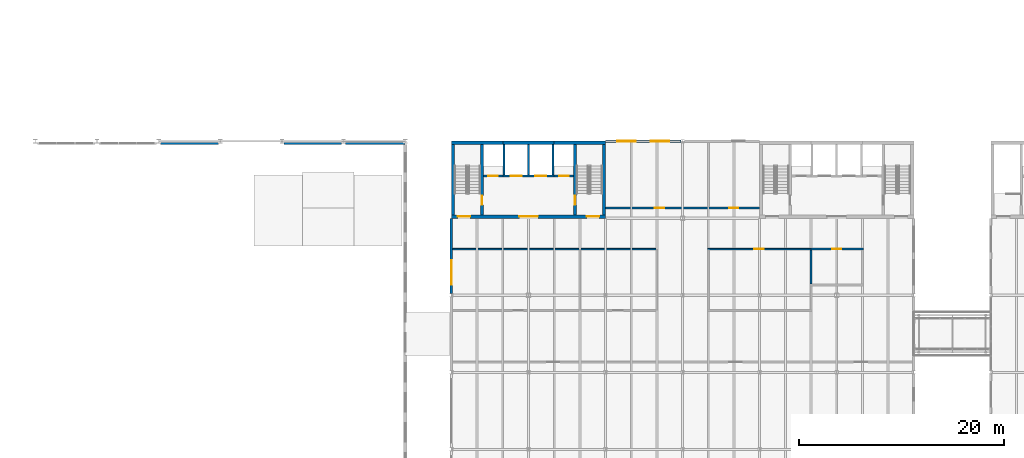
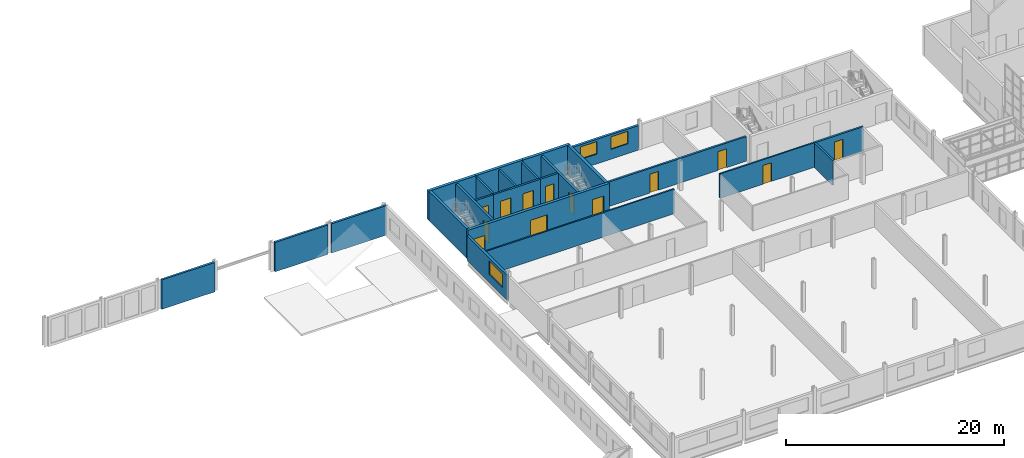
# One storey, part 47 of 198: 24 walls, 13 doors, 3 windows, 16 openings.
"""IFC4 building model written with IfcOpenShell, lengths in metres."""

from ifc_helpers import new_model, si_unit, direction, frame, frame_2d, origin, place, context, subcontext, project, spatial, rectangle, extrude, material, layer, layer_set, type_object, element, fill, save


model = new_model("IFC4")

# Units and contexts
model_context = context("Model", 3, precision=1e-05, world=origin(), true_north=direction((0.0, 1.0)))
body_context = subcontext(model_context, "Body", "Model", "MODEL_VIEW")
ifc_project = project(units=[si_unit("LENGTHUNIT", "METRE"), si_unit("AREAUNIT", "SQUARE_METRE"), si_unit("VOLUMEUNIT", "CUBIC_METRE"), si_unit("PLANEANGLEUNIT", "RADIAN"), si_unit("MASSUNIT", "GRAM", prefix="KILO")], contexts=[model_context])

# Site, building, storey
site_placement = place(None, origin())
site = spatial("IfcSite", under=ifc_project, at=site_placement, CompositionType="ELEMENT")
building_placement = place(site_placement, origin())
building = spatial("IfcBuilding", under=site, at=building_placement, Name="Parallax Yard Mobility Hub", CompositionType="ELEMENT")
storey_placement = place(building_placement, frame((0.0, 0.0, 6.60009765625)))
storey = spatial("IfcBuildingStorey", under=building, at=storey_placement, Name="L02", CompositionType="ELEMENT", Elevation=6.60009765625)

# Wall, openings, doors
ifc_material_1 = material(Name="Concrete fc' 35 MPa", Category="concrete")
ifc_layer_1 = layer(ifc_material_1, 0.300048828125)
ifc_layer_set_1 = layer_set([ifc_layer_1], Name="Concrete fc' 35 MPa core wall 300")
wall_type_1 = type_object("IfcWallType", Name="Concrete fc' 35 MPa core wall 300", PredefinedType="SHEAR", material=ifc_layer_set_1)
wall_1_placement = place(storey_placement, frame((112.5, 45.14990234375, 0.0), z_axis=(0.0, 0.0, 1.0), x_axis=(-1.0, 0.0, 0.0)))
wall_1 = element("IfcWall", 1, at=wall_1_placement, inside=storey, type_object=wall_type_1, Name="Core C6-W entry wall level L02", PredefinedType="SHEAR", context=body_context, shape_type="SweptSolid", body=[
    extrude(rectangle(XDim=15.0, YDim=0.300048828125, at=frame_2d((7.5, 0.0))), origin(), (0.0, 0.0, 1.0), 3.2998046875),
])
opening_1_placement = place(wall_1_placement, frame((13.179931640625, 0.0, 0.0)))
opening_1 = element("IfcOpeningElement", 2, at=opening_1_placement, cuts=wall_1, Name="Opening L02-D733", PredefinedType="OPENING", context=body_context, shape_type="SweptSolid", body=[
    extrude(rectangle(XDim=1.199951171875, YDim=2.10009765625, at=frame_2d((0.60009765625, 1.050048828125))), frame((0.0, 0.16015625, 0.0), z_axis=(0.0, -1.0, 0.0), x_axis=(1.0, 0.0, 0.0)), (0.0, 0.0, 1.0), 0.320068359375),
])
opening_2_placement = place(wall_1_placement, frame((0.6201171875, 0.0, 0.0)))
opening_2 = element("IfcOpeningElement", 3, at=opening_2_placement, cuts=wall_1, Name="Opening L02-D734", PredefinedType="OPENING", context=body_context, shape_type="SweptSolid", body=[
    extrude(rectangle(XDim=1.199951171875, YDim=2.10009765625, at=frame_2d((0.60009765625, 1.050048828125))), frame((0.0, 0.16015625, 0.0), z_axis=(0.0, -1.0, 0.0), x_axis=(1.0, 0.0, 0.0)), (0.0, 0.0, 1.0), 0.320068359375),
])
opening_3_placement = place(wall_1_placement, frame((6.60009765625, 0.0, 0.0)))
opening_3 = element("IfcOpeningElement", 4, at=opening_3_placement, cuts=wall_1, Name="Opening L02-D735", PredefinedType="OPENING", context=body_context, shape_type="SweptSolid", body=[
    extrude(rectangle(XDim=1.800048828125, YDim=2.10009765625, at=frame_2d((0.89990234375, 1.050048828125))), frame((0.0, 0.16015625, 0.0), z_axis=(0.0, -1.0, 0.0), x_axis=(1.0, 0.0, 0.0)), (0.0, 0.0, 1.0), 0.320068359375),
])
ifc_material_2 = material(Name="Hollow metal steel door and frame", Category="steel")
door_type_1 = type_object("IfcDoorType", Name="Core door 1200 x 2100 FD90", OperationType="NOTDEFINED", PredefinedType="DOOR", material=ifc_material_2)
door_1_placement = place(opening_1_placement, origin())
door_1 = element("IfcDoor", 5, at=door_1_placement, inside=storey, type_object=door_type_1, Name="Stair deck door L02-D733, core C6-W level L02", OperationType="SINGLE_SWING_RIGHT", OverallHeight=2.10009765625, OverallWidth=1.199951171875, PredefinedType="DOOR", context=body_context, shape_type="SweptSolid", body=[
    extrude(rectangle(XDim=1.199951171875, YDim=2.10009765625, at=frame_2d((0.60009765625, 1.050048828125))), frame((0.0, 0.02490234375, 0.0), z_axis=(0.0, -1.0, 0.0), x_axis=(1.0, 0.0, 0.0)), (0.0, 0.0, 1.0), 0.050048828125),
])
fill(opening_1, door_1)
door_2_placement = place(opening_2_placement, origin())
door_2 = element("IfcDoor", 6, at=door_2_placement, inside=storey, type_object=door_type_1, Name="Stair deck door L02-D734, core C6-W level L02", OperationType="SINGLE_SWING_LEFT", OverallHeight=2.10009765625, OverallWidth=1.199951171875, PredefinedType="DOOR", context=body_context, shape_type="SweptSolid", body=[
    extrude(rectangle(XDim=1.199951171875, YDim=2.10009765625, at=frame_2d((0.60009765625, 1.050048828125))), frame((0.0, 0.02490234375, 0.0), z_axis=(0.0, -1.0, 0.0), x_axis=(1.0, 0.0, 0.0)), (0.0, 0.0, 1.0), 0.050048828125),
])
fill(opening_2, door_2)
door_type_2 = type_object("IfcDoorType", Name="Core double door 1800 x 2100 FD90", OperationType="NOTDEFINED", PredefinedType="DOOR", material=ifc_material_2)
door_3_placement = place(opening_3_placement, origin())
door_3 = element("IfcDoor", 7, at=door_3_placement, inside=storey, type_object=door_type_2, Name="Lift lobby door L02-D735, core C6-W level L02", OperationType="DOUBLE_DOOR_SINGLE_SWING", OverallHeight=2.10009765625, OverallWidth=1.800048828125, PredefinedType="DOOR", context=body_context, shape_type="SweptSolid", body=[
    extrude(rectangle(XDim=1.800048828125, YDim=2.10009765625, at=frame_2d((0.89990234375, 1.050048828125))), frame((0.0, 0.02490234375, 0.0), z_axis=(0.0, -1.0, 0.0), x_axis=(1.0, 0.0, 0.0)), (0.0, 0.0, 1.0), 0.050048828125),
])
fill(opening_3, door_3)

# Walls
for number, where, z_axis, x_axis, name in (
    (8, (97.5, 52.35009765625, 0.0), (0.0, 0.0, 1.0), (1.0, 0.0, 0.0), "Core C6-W back wall part 1 level L02"),
    (9, (102.5, 52.35009765625, 0.0), (0.0, 0.0, 1.0), (1.0, 0.0, 0.0), "Core C6-W back wall part 2 level L02"),
    (10, (107.5, 52.35009765625, 0.0), (0.0, 0.0, 1.0), (1.0, 0.0, 0.0), "Core C6-W back wall part 3 level L02"),
):
    element("IfcWall", number, at=place(storey_placement, frame(where, z_axis=z_axis, x_axis=x_axis)), inside=storey, type_object=wall_type_1, Name=name, PredefinedType="SHEAR", context=body_context, shape_type="SweptSolid", body=[
        extrude(rectangle(XDim=5.0, YDim=0.300048828125, at=frame_2d((2.5, 0.0))), origin(), (0.0, 0.0, 1.0), 3.2998046875),
    ])
for number, where, z_axis, x_axis, name in (
    (11, (97.64990234375, 45.300048828125, 0.0), (0.0, 0.0, 1.0), (0.0, 1.0, 0.0), "Core C6-W west-side end wall level L02"),
    (12, (112.35009765625, 52.199951171875, 0.0), (0.0, 0.0, 1.0), (0.0, -1.0, 0.0), "Core C6-W east-side end wall level L02"),
):
    element("IfcWall", number, at=place(storey_placement, frame(where, z_axis=z_axis, x_axis=x_axis)), inside=storey, type_object=wall_type_1, Name=name, PredefinedType="SHEAR", context=body_context, shape_type="SweptSolid", body=[
        extrude(rectangle(XDim=6.89990234375, YDim=0.300048828125, at=frame_2d((3.449951171875, 0.0))), origin(), (0.0, 0.0, 1.0), 3.2998046875),
    ])

# Wall, opening, door
ifc_layer_2 = layer(ifc_material_1, 0.199951171875)
ifc_layer_set_2 = layer_set([ifc_layer_2], Name="Concrete fc' 35 MPa internal core wall 200")
wall_type_2 = type_object("IfcWallType", Name="Concrete fc' 35 MPa internal core wall 200", PredefinedType="STANDARD", material=ifc_layer_set_2)
wall_2_placement = place(storey_placement, frame((102.5, 49.10009765625, 0.0), z_axis=(0.0, 0.0, 1.0), x_axis=(-1.0, 0.0, 0.0)))
wall_2 = element("IfcWall", 13, at=wall_2_placement, inside=storey, type_object=wall_type_2, Name="Core C6-W lift front 1 part 1 level L02", PredefinedType="STANDARD", context=body_context, shape_type="SweptSolid", body=[
    extrude(rectangle(XDim=1.89990234375, YDim=0.199951171875, at=frame_2d((0.949951171875, 0.0))), origin(), (0.0, 0.0, 1.0), 3.099853515625),
])
opening_4_placement = place(wall_2_placement, frame((0.5, 0.0, 0.0)))
opening_4 = element("IfcOpeningElement", 14, at=opening_4_placement, cuts=wall_2, Name="Opening L02-D740", PredefinedType="OPENING", context=body_context, shape_type="SweptSolid", body=[
    extrude(rectangle(XDim=0.89990234375, YDim=2.10009765625, at=frame_2d((0.449951171875, 1.050048828125))), frame((0.0, 0.10986328125, 0.0), z_axis=(0.0, -1.0, 0.0), x_axis=(1.0, 0.0, 0.0)), (0.0, 0.0, 1.0), 0.219970703125),
])
door_type_3 = type_object("IfcDoorType", Name="Riser door 900 x 2100 FD90", OperationType="NOTDEFINED", PredefinedType="DOOR", material=ifc_material_2)
door_4_placement = place(opening_4_placement, origin())
door_4 = element("IfcDoor", 15, at=door_4_placement, inside=storey, type_object=door_type_3, Name="Riser door L02-D740, core C6-W level L02", OperationType="SINGLE_SWING_RIGHT", OverallHeight=2.10009765625, OverallWidth=0.89990234375, PredefinedType="DOOR", context=body_context, shape_type="SweptSolid", body=[
    extrude(rectangle(XDim=0.89990234375, YDim=2.10009765625, at=frame_2d((0.449951171875, 1.050048828125))), frame((0.0, 0.02490234375, 0.0), z_axis=(0.0, -1.0, 0.0), x_axis=(1.0, 0.0, 0.0)), (0.0, 0.0, 1.0), 0.050048828125),
])
fill(opening_4, door_4)

# Wall, openings, doors
wall_3_placement = place(storey_placement, frame((102.5, 49.10009765625, 0.0), z_axis=(0.0, 0.0, 1.0), x_axis=(1.0, 0.0, 0.0)))
wall_3 = element("IfcWall", 16, at=wall_3_placement, inside=storey, type_object=wall_type_2, Name="Core C6-W lift front 2 part 2 level L02", PredefinedType="STANDARD", context=body_context, shape_type="SweptSolid", body=[
    extrude(rectangle(XDim=5.0, YDim=0.199951171875, at=frame_2d((2.5, 0.0))), origin(), (0.0, 0.0, 1.0), 3.099853515625),
])
opening_5_placement = place(wall_3_placement, frame((0.75, 0.0, 0.0)))
opening_5 = element("IfcOpeningElement", 17, at=opening_5_placement, cuts=wall_3, Name="Opening L02-D738", PredefinedType="OPENING", context=body_context, shape_type="SweptSolid", body=[
    extrude(rectangle(XDim=1.10009765625, YDim=2.10009765625, at=frame_2d((0.550048828125, 1.050048828125))), frame((0.0, 0.10986328125, 0.0), z_axis=(0.0, -1.0, 0.0), x_axis=(1.0, 0.0, 0.0)), (0.0, 0.0, 1.0), 0.219970703125),
])
opening_6_placement = place(wall_3_placement, frame((3.14990234375, 0.0, 0.0)))
opening_6 = element("IfcOpeningElement", 18, at=opening_6_placement, cuts=wall_3, Name="Opening L02-D739", PredefinedType="OPENING", context=body_context, shape_type="SweptSolid", body=[
    extrude(rectangle(XDim=1.10009765625, YDim=2.10009765625, at=frame_2d((0.550048828125, 1.050048828125))), frame((0.0, 0.10986328125, 0.0), z_axis=(0.0, -1.0, 0.0), x_axis=(1.0, 0.0, 0.0)), (0.0, 0.0, 1.0), 0.219970703125),
])
ifc_material_3 = material(Name="Stainless steel sliding door and frame", Category="steel")
door_type_4 = type_object("IfcDoorType", Name="Lift landing door 1100 x 2100 FD90", OperationType="DOUBLE_DOOR_SLIDING", PredefinedType="DOOR", material=ifc_material_3)
door_5_placement = place(opening_5_placement, origin())
door_5 = element("IfcDoor", 19, at=door_5_placement, inside=storey, type_object=door_type_4, Name="Lift landing door L02-D738, core C6-W level L02", OperationType="DOUBLE_DOOR_SLIDING", OverallHeight=2.10009765625, OverallWidth=1.10009765625, PredefinedType="DOOR", context=body_context, shape_type="SweptSolid", body=[
    extrude(rectangle(XDim=1.10009765625, YDim=2.10009765625, at=frame_2d((0.550048828125, 1.050048828125))), frame((0.0, 0.02490234375, 0.0), z_axis=(0.0, -1.0, 0.0), x_axis=(1.0, 0.0, 0.0)), (0.0, 0.0, 1.0), 0.050048828125),
])
fill(opening_5, door_5)
door_6_placement = place(opening_6_placement, origin())
door_6 = element("IfcDoor", 20, at=door_6_placement, inside=storey, type_object=door_type_4, Name="Lift landing door L02-D739, core C6-W level L02", OperationType="DOUBLE_DOOR_SLIDING", OverallHeight=2.10009765625, OverallWidth=1.10009765625, PredefinedType="DOOR", context=body_context, shape_type="SweptSolid", body=[
    extrude(rectangle(XDim=1.10009765625, YDim=2.10009765625, at=frame_2d((0.550048828125, 1.050048828125))), frame((0.0, 0.02490234375, 0.0), z_axis=(0.0, -1.0, 0.0), x_axis=(1.0, 0.0, 0.0)), (0.0, 0.0, 1.0), 0.050048828125),
])
fill(opening_6, door_6)

# Wall, opening, door
wall_4_placement = place(storey_placement, frame((109.39990234375, 49.10009765625, 0.0), z_axis=(0.0, 0.0, 1.0), x_axis=(-1.0, 0.0, 0.0)))
wall_4 = element("IfcWall", 21, at=wall_4_placement, inside=storey, type_object=wall_type_2, Name="Core C6-W lift front 3 part 3 level L02", PredefinedType="STANDARD", context=body_context, shape_type="SweptSolid", body=[
    extrude(rectangle(XDim=1.89990234375, YDim=0.199951171875, at=frame_2d((0.949951171875, 0.0))), origin(), (0.0, 0.0, 1.0), 3.099853515625),
])
opening_7_placement = place(wall_4_placement, frame((0.5, 0.0, 0.0)))
opening_7 = element("IfcOpeningElement", 22, at=opening_7_placement, cuts=wall_4, Name="Opening L02-D741", PredefinedType="OPENING", context=body_context, shape_type="SweptSolid", body=[
    extrude(rectangle(XDim=0.89990234375, YDim=2.10009765625, at=frame_2d((0.449951171875, 1.050048828125))), frame((0.0, 0.10986328125, 0.0), z_axis=(0.0, -1.0, 0.0), x_axis=(1.0, 0.0, 0.0)), (0.0, 0.0, 1.0), 0.219970703125),
])
door_7_placement = place(opening_7_placement, origin())
door_7 = element("IfcDoor", 23, at=door_7_placement, inside=storey, type_object=door_type_3, Name="Riser door L02-D741, core C6-W level L02", OperationType="SINGLE_SWING_LEFT", OverallHeight=2.10009765625, OverallWidth=0.89990234375, PredefinedType="DOOR", context=body_context, shape_type="SweptSolid", body=[
    extrude(rectangle(XDim=0.89990234375, YDim=2.10009765625, at=frame_2d((0.449951171875, 1.050048828125))), frame((0.0, 0.02490234375, 0.0), z_axis=(0.0, -1.0, 0.0), x_axis=(1.0, 0.0, 0.0)), (0.0, 0.0, 1.0), 0.050048828125),
])
fill(opening_7, door_7)

# Walls
for number, where, z_axis, x_axis, name in (
    (24, (102.60009765625, 49.199951171875, 0.0), (0.0, 0.0, 1.0), (0.0, 1.0, 0.0), "Core C6-W lift wall 1 part 1 level L02"),
    (25, (105.0, 49.199951171875, 0.0), (0.0, 0.0, 1.0), (0.0, 1.0, 0.0), "Core C6-W lift wall 2 part 2 level L02"),
    (26, (107.39990234375, 49.199951171875, 0.0), (0.0, 0.0, 1.0), (0.0, 1.0, 0.0), "Core C6-W lift wall 3 part 3 level L02"),
):
    element("IfcWall", number, at=place(storey_placement, frame(where, z_axis=z_axis, x_axis=x_axis)), inside=storey, type_object=wall_type_2, Name=name, PredefinedType="STANDARD", context=body_context, shape_type="SweptSolid", body=[
        extrude(rectangle(XDim=3.0, YDim=0.199951171875, at=frame_2d((1.5, 0.0))), origin(), (0.0, 0.0, 1.0), 3.099853515625),
    ])

# Wall, opening, door
ifc_layer_3 = layer(ifc_material_1, 0.25)
ifc_layer_set_3 = layer_set([ifc_layer_3], Name="Concrete fc' 35 MPa stair enclosure wall 250")
wall_type_3 = type_object("IfcWallType", Name="Concrete fc' 35 MPa stair enclosure wall 250", PredefinedType="STANDARD", material=ifc_layer_set_3)
wall_5_placement = place(storey_placement, frame((100.47509765625, 45.300048828125, 0.0), z_axis=(0.0, 0.0, 1.0), x_axis=(0.0, 1.0, 0.0)))
wall_5 = element("IfcWall", 27, at=wall_5_placement, inside=storey, type_object=wall_type_3, Name="Core C6-W stair 1 partition level L02", PredefinedType="STANDARD", context=body_context, shape_type="SweptSolid", body=[
    extrude(rectangle(XDim=6.89990234375, YDim=0.25, at=frame_2d((3.449951171875, 0.0))), origin(), (0.0, 0.0, 1.0), 3.099853515625),
])
opening_8_placement = place(wall_5_placement, frame((1.0, 0.0, 0.0)))
opening_8 = element("IfcOpeningElement", 28, at=opening_8_placement, cuts=wall_5, Name="Opening L02-D736", PredefinedType="OPENING", context=body_context, shape_type="SweptSolid", body=[
    extrude(rectangle(XDim=0.89990234375, YDim=2.10009765625, at=frame_2d((0.449951171875, 1.050048828125))), frame((0.0, 0.135009765625, 0.0), z_axis=(0.0, -1.0, 0.0), x_axis=(1.0, 0.0, 0.0)), (0.0, 0.0, 1.0), 0.27001953125),
])
door_type_5 = type_object("IfcDoorType", Name="Core door 900 x 2100 FD90", OperationType="NOTDEFINED", PredefinedType="DOOR", material=ifc_material_2)
door_8_placement = place(opening_8_placement, origin())
door_8 = element("IfcDoor", 29, at=door_8_placement, inside=storey, type_object=door_type_5, Name="Stair lobby door L02-D736, core C6-W level L02", OperationType="SINGLE_SWING_LEFT", OverallHeight=2.10009765625, OverallWidth=0.89990234375, PredefinedType="DOOR", context=body_context, shape_type="SweptSolid", body=[
    extrude(rectangle(XDim=0.89990234375, YDim=2.10009765625, at=frame_2d((0.449951171875, 1.050048828125))), frame((0.0, 0.02490234375, 0.0), z_axis=(0.0, -1.0, 0.0), x_axis=(1.0, 0.0, 0.0)), (0.0, 0.0, 1.0), 0.050048828125),
])
fill(opening_8, door_8)

wall_6_placement = place(storey_placement, frame((109.52490234375, 52.199951171875, 0.0), z_axis=(0.0, 0.0, 1.0), x_axis=(0.0, -1.0, 0.0)))
wall_6 = element("IfcWall", 30, at=wall_6_placement, inside=storey, type_object=wall_type_3, Name="Core C6-W stair 2 partition level L02", PredefinedType="STANDARD", context=body_context, shape_type="SweptSolid", body=[
    extrude(rectangle(XDim=6.89990234375, YDim=0.25, at=frame_2d((3.449951171875, 0.0))), origin(), (0.0, 0.0, 1.0), 3.099853515625),
])
opening_9_placement = place(wall_6_placement, frame((5.0, 0.0, 0.0)))
opening_9 = element("IfcOpeningElement", 31, at=opening_9_placement, cuts=wall_6, Name="Opening L02-D737", PredefinedType="OPENING", context=body_context, shape_type="SweptSolid", body=[
    extrude(rectangle(XDim=0.89990234375, YDim=2.10009765625, at=frame_2d((0.449951171875, 1.050048828125))), frame((0.0, 0.135009765625, 0.0), z_axis=(0.0, -1.0, 0.0), x_axis=(1.0, 0.0, 0.0)), (0.0, 0.0, 1.0), 0.27001953125),
])
door_9_placement = place(opening_9_placement, origin())
door_9 = element("IfcDoor", 32, at=door_9_placement, inside=storey, type_object=door_type_5, Name="Stair lobby door L02-D737, core C6-W level L02", OperationType="SINGLE_SWING_RIGHT", OverallHeight=2.10009765625, OverallWidth=0.89990234375, PredefinedType="DOOR", context=body_context, shape_type="SweptSolid", body=[
    extrude(rectangle(XDim=0.89990234375, YDim=2.10009765625, at=frame_2d((0.449951171875, 1.050048828125))), frame((0.0, 0.02490234375, 0.0), z_axis=(0.0, -1.0, 0.0), x_axis=(1.0, 0.0, 0.0)), (0.0, 0.0, 1.0), 0.050048828125),
])
fill(opening_9, door_9)

# Wall, openings, windows
ifc_layer_4 = layer(ifc_material_1, 0.25)
ifc_layer_set_4 = layer_set([ifc_layer_4], Name="Exterior wall, Concrete fc' 35 MPa precast, 250 with insulation lining")
wall_type_4 = type_object("IfcWallType", Name="Exterior wall, Concrete fc' 35 MPa precast, 250 with insulation lining", PredefinedType="SOLIDWALL", material=ifc_layer_set_4)
wall_7_placement = place(storey_placement, frame((112.5, 52.5, 0.0), z_axis=(0.0, 0.0, 1.0), x_axis=(1.0, 0.0, 0.0)))
wall_7 = element("IfcWall", 33, at=wall_7_placement, inside=storey, type_object=wall_type_4, Name="Mobility service centre and workshops north wall bay 1 level L02", PredefinedType="SOLIDWALL", context=body_context, shape_type="SweptSolid", body=[
    extrude(rectangle(XDim=7.3359375, YDim=0.25, at=frame_2d((3.66796875, 0.0))), origin(), (0.0, 0.0, 1.0), 2.7509765625),
])
opening_10_placement = place(wall_7_placement, frame((1.145263671875, 0.0, 1.10009765625)))
opening_10 = element("IfcOpeningElement", 34, at=opening_10_placement, cuts=wall_7, Name="Opening LV2", PredefinedType="OPENING", context=body_context, shape_type="SweptSolid", body=[
    extrude(rectangle(XDim=1.800048828125, YDim=1.39990234375, at=frame_2d((0.89990234375, 0.699951171875))), frame((0.0, 0.135009765625, 0.0), z_axis=(0.0, -1.0, 0.0), x_axis=(1.0, 0.0, 0.0)), (0.0, 0.0, 1.0), 0.27001953125),
])
opening_11_placement = place(wall_7_placement, frame((4.390625, 0.0, 1.10009765625)))
opening_11 = element("IfcOpeningElement", 35, at=opening_11_placement, cuts=wall_7, Name="Opening LV2", PredefinedType="OPENING", context=body_context, shape_type="SweptSolid", body=[
    extrude(rectangle(XDim=1.800048828125, YDim=1.39990234375, at=frame_2d((0.89990234375, 0.699951171875))), frame((0.0, 0.135009765625, 0.0), z_axis=(0.0, -1.0, 0.0), x_axis=(1.0, 0.0, 0.0)), (0.0, 0.0, 1.0), 0.27001953125),
])
ifc_material_4 = material(Name="Extruded aluminium storm louvre blades in a powder-coated frame", Category="aluminium")
window_type_1 = type_object("IfcWindowType", Name="Screen louvre 1800 x 1400", PartitioningType="SINGLE_PANEL", PredefinedType="WINDOW", material=ifc_material_4)
window_1_placement = place(opening_10_placement, origin())
window_1 = element("IfcWindow", 36, at=window_1_placement, inside=storey, type_object=window_type_1, Name="LV2 louvre level L02", OverallHeight=1.39990234375, OverallWidth=1.800048828125, PartitioningType="SINGLE_PANEL", PredefinedType="WINDOW", context=body_context, shape_type="SweptSolid", body=[
    extrude(rectangle(XDim=1.800048828125, YDim=1.39990234375, at=frame_2d((0.89990234375, 0.699951171875))), frame((0.0, 0.030029296875, 0.0), z_axis=(0.0, -1.0, 0.0), x_axis=(1.0, 0.0, 0.0)), (0.0, 0.0, 1.0), 0.06005859375),
])
fill(opening_10, window_1)
window_2_placement = place(opening_11_placement, origin())
window_2 = element("IfcWindow", 37, at=window_2_placement, inside=storey, type_object=window_type_1, Name="LV2 louvre level L02", OverallHeight=1.39990234375, OverallWidth=1.800048828125, PartitioningType="SINGLE_PANEL", PredefinedType="WINDOW", context=body_context, shape_type="SweptSolid", body=[
    extrude(rectangle(XDim=1.800048828125, YDim=1.39990234375, at=frame_2d((0.89990234375, 0.699951171875))), frame((0.0, 0.030029296875, 0.0), z_axis=(0.0, -1.0, 0.0), x_axis=(1.0, 0.0, 0.0)), (0.0, 0.0, 1.0), 0.06005859375),
])
fill(opening_11, window_2)

# Wall, opening, window
wall_8_placement = place(storey_placement, frame((97.5, 37.658935546875, 0.0), z_axis=(0.0, 0.0, 1.0), x_axis=(0.0, 1.0, 0.0)))
wall_8 = element("IfcWall", 38, at=wall_8_placement, inside=storey, type_object=wall_type_4, Name="Mobility service centre and workshops west wall bay 5 level L02", PredefinedType="SOLIDWALL", context=body_context, shape_type="SweptSolid", body=[
    extrude(rectangle(XDim=7.341064453125, YDim=0.25, at=frame_2d((3.67041015625, 0.0))), origin(), (0.0, 0.0, 1.0), 2.7509765625),
])
opening_12_placement = place(wall_8_placement, frame((0.846923828125, 0.0, 0.89990234375)))
opening_12 = element("IfcOpeningElement", 39, at=opening_12_placement, cuts=wall_8, Name="Opening W1", PredefinedType="OPENING", context=body_context, shape_type="SweptSolid", body=[
    extrude(rectangle(XDim=2.39990234375, YDim=1.5, at=frame_2d((1.199951171875, 0.75))), frame((0.0, 0.135009765625, 0.0), z_axis=(0.0, -1.0, 0.0), x_axis=(1.0, 0.0, 0.0)), (0.0, 0.0, 1.0), 0.27001953125),
])
ifc_material_5 = material(Name="Double glazed low-E unit in thermally broken aluminium frame", Category="aluminium")
window_type_2 = type_object("IfcWindowType", Name="Window 2400 x 1500", PartitioningType="DOUBLE_PANEL_VERTICAL", PredefinedType="WINDOW", material=ifc_material_5)
window_3_placement = place(opening_12_placement, origin())
window_3 = element("IfcWindow", 40, at=window_3_placement, inside=storey, type_object=window_type_2, Name="Window W1 level L02", OverallHeight=1.5, OverallWidth=2.39990234375, PartitioningType="DOUBLE_PANEL_VERTICAL", PredefinedType="WINDOW", context=body_context, shape_type="SweptSolid", body=[
    extrude(rectangle(XDim=2.39990234375, YDim=1.5, at=frame_2d((1.199951171875, 0.75))), frame((0.0, 0.030029296875, 0.0), z_axis=(0.0, -1.0, 0.0), x_axis=(1.0, 0.0, 0.0)), (0.0, 0.0, 1.0), 0.06005859375),
])
fill(opening_12, window_3)

# Wall, opening, door
ifc_material_6 = material(Name="Fire-rated plasterboard partition, two layers each side")
ifc_layer_5 = layer(ifc_material_6, 0.199951171875)
ifc_layer_set_5 = layer_set([ifc_layer_5], Name="Fire-rated partition 200 mm")
wall_type_5 = type_object("IfcWallType", Name="Fire-rated partition 200 mm", PredefinedType="PARTITIONING", material=ifc_layer_set_5)
wall_9_placement = place(storey_placement, frame((132.5, 42.0, 0.0), z_axis=(0.0, 0.0, 1.0), x_axis=(1.0, 0.0, 0.0)))
wall_9 = element("IfcWall", 41, at=wall_9_placement, inside=storey, type_object=wall_type_5, Name="Partition 15 level L02", PredefinedType="PARTITIONING", context=body_context, shape_type="SweptSolid", body=[
    extrude(rectangle(XDim=5.10009765625, YDim=0.199951171875, at=frame_2d((2.550048828125, 0.0))), origin(), (0.0, 0.0, 1.0), 2.7509765625),
])
opening_13_placement = place(wall_9_placement, frame((2.050048828125, 0.0, 0.0)))
opening_13 = element("IfcOpeningElement", 42, at=opening_13_placement, cuts=wall_9, Name="Opening L02-D211", PredefinedType="OPENING", context=body_context, shape_type="SweptSolid", body=[
    extrude(rectangle(XDim=0.89990234375, YDim=2.10009765625, at=frame_2d((0.449951171875, 1.050048828125))), frame((0.0, 0.10986328125, 0.0), z_axis=(0.0, -1.0, 0.0), x_axis=(1.0, 0.0, 0.0)), (0.0, 0.0, 1.0), 0.219970703125),
])
ifc_material_7 = material(Name="Hollow metal fire door leaf with intumescent seals")
door_type_6 = type_object("IfcDoorType", Name="Fire door 900 mm FD60", OperationType="NOTDEFINED", PredefinedType="DOOR", material=ifc_material_7)
door_10_placement = place(opening_13_placement, origin())
door_10 = element("IfcDoor", 43, at=door_10_placement, inside=storey, type_object=door_type_6, Name="Door L02-D211 Staff WC", OperationType="SINGLE_SWING_LEFT", OverallHeight=2.10009765625, OverallWidth=0.89990234375, PredefinedType="DOOR", context=body_context, shape_type="SweptSolid", body=[
    extrude(rectangle(XDim=0.89990234375, YDim=2.10009765625, at=frame_2d((0.449951171875, 1.050048828125))), frame((0.0, 0.02490234375, 0.0), z_axis=(0.0, -1.0, 0.0), x_axis=(1.0, 0.0, 0.0)), (0.0, 0.0, 1.0), 0.050048828125),
])
fill(opening_13, door_10)

# Wall, openings, doors
wall_10_placement = place(storey_placement, frame((112.5, 46.0, 0.0), z_axis=(0.0, 0.0, 1.0), x_axis=(1.0, 0.0, 0.0)))
wall_10 = element("IfcWall", 44, at=wall_10_placement, inside=storey, type_object=wall_type_5, Name="Partition 16 level L02", PredefinedType="PARTITIONING", context=body_context, shape_type="SweptSolid", body=[
    extrude(rectangle(XDim=15.0, YDim=0.199951171875, at=frame_2d((7.5, 0.0))), origin(), (0.0, 0.0, 1.0), 2.7509765625),
])
opening_14_placement = place(wall_10_placement, frame((4.800048828125, 0.0, 0.0)))
opening_14 = element("IfcOpeningElement", 45, at=opening_14_placement, cuts=wall_10, Name="Opening L02-D213", PredefinedType="OPENING", context=body_context, shape_type="SweptSolid", body=[
    extrude(rectangle(XDim=0.89990234375, YDim=2.10009765625, at=frame_2d((0.449951171875, 1.050048828125))), frame((0.0, 0.10986328125, 0.0), z_axis=(0.0, -1.0, 0.0), x_axis=(1.0, 0.0, 0.0)), (0.0, 0.0, 1.0), 0.219970703125),
])
opening_15_placement = place(wall_10_placement, frame((12.025146484375, 0.0, 0.0)))
opening_15 = element("IfcOpeningElement", 46, at=opening_15_placement, cuts=wall_10, Name="Opening L02-D214", PredefinedType="OPENING", context=body_context, shape_type="SweptSolid", body=[
    extrude(rectangle(XDim=0.89990234375, YDim=2.10009765625, at=frame_2d((0.449951171875, 1.050048828125))), frame((0.0, 0.10986328125, 0.0), z_axis=(0.0, -1.0, 0.0), x_axis=(1.0, 0.0, 0.0)), (0.0, 0.0, 1.0), 0.219970703125),
])
door_11_placement = place(opening_14_placement, origin())
door_11 = element("IfcDoor", 47, at=door_11_placement, inside=storey, type_object=door_type_6, Name="Door L02-D213 Data and Comms Room", OperationType="SINGLE_SWING_LEFT", OverallHeight=2.10009765625, OverallWidth=0.89990234375, PredefinedType="DOOR", context=body_context, shape_type="SweptSolid", body=[
    extrude(rectangle(XDim=0.89990234375, YDim=2.10009765625, at=frame_2d((0.449951171875, 1.050048828125))), frame((0.0, 0.02490234375, 0.0), z_axis=(0.0, -1.0, 0.0), x_axis=(1.0, 0.0, 0.0)), (0.0, 0.0, 1.0), 0.050048828125),
])
fill(opening_14, door_11)
door_12_placement = place(opening_15_placement, origin())
door_12 = element("IfcDoor", 48, at=door_12_placement, inside=storey, type_object=door_type_6, Name="Door L02-D214 Cleaners Store", OperationType="SINGLE_SWING_RIGHT", OverallHeight=2.10009765625, OverallWidth=0.89990234375, PredefinedType="DOOR", context=body_context, shape_type="SweptSolid", body=[
    extrude(rectangle(XDim=0.89990234375, YDim=2.10009765625, at=frame_2d((0.449951171875, 1.050048828125))), frame((0.0, 0.02490234375, 0.0), z_axis=(0.0, -1.0, 0.0), x_axis=(1.0, 0.0, 0.0)), (0.0, 0.0, 1.0), 0.050048828125),
])
fill(opening_15, door_12)

# Walls
wall_11_placement = place(storey_placement, frame((132.5, 38.60009765625, 0.0), z_axis=(0.0, 0.0, 1.0), x_axis=(0.0, 1.0, 0.0)))
element("IfcWall", 49, at=wall_11_placement, inside=storey, type_object=wall_type_5, Name="Partition 45 level L02", PredefinedType="PARTITIONING", context=body_context, shape_type="SweptSolid", body=[
    extrude(rectangle(XDim=3.2998046875, YDim=0.199951171875, at=frame_2d((1.64990234375, 0.0))), origin(), (0.0, 0.0, 1.0), 2.75390625),
])
ifc_layer_6 = layer(ifc_material_1, 0.219970703125)
ifc_layer_set_6 = layer_set([ifc_layer_6], Name="Gable panel, Concrete fc' 35 MPa precast, 220")
wall_type_6 = type_object("IfcWallType", Name="Gable panel, Concrete fc' 35 MPa precast, 220", PredefinedType="SOLIDWALL", material=ifc_layer_set_6)
for number, where, z_axis, x_axis, name in (
    (50, (69.1865234375, 52.27587890625, 0.0), (0.0, 0.0, 1.0), (1.0, 0.0, 0.0), "Bus and taxi deck north gable wall bay 9 level L02"),
    (51, (81.1865234375, 52.27587890625, 0.0), (0.0, 0.0, 1.0), (1.0, 0.0, 0.0), "Bus and taxi deck north gable wall bay 10 level L02"),
):
    element("IfcWall", number, at=place(storey_placement, frame(where, z_axis=z_axis, x_axis=x_axis)), inside=storey, type_object=wall_type_6, Name=name, PredefinedType="SOLIDWALL", context=body_context, shape_type="SweptSolid", body=[
        extrude(rectangle(XDim=5.626953125, YDim=0.219970703125, at=frame_2d((2.8134765625, 0.0))), origin(), (0.0, 0.0, 1.0), 3.2998046875),
    ])
wall_12_placement = place(storey_placement, frame((87.1865234375, 52.27099609375, 0.0), z_axis=(0.0, 0.0, 1.0), x_axis=(1.0, 0.0, 0.0)))
element("IfcWall", 52, at=wall_12_placement, inside=storey, type_object=wall_type_6, Name="Bus and taxi deck north gable wall bay 11 level L02", PredefinedType="SOLIDWALL", context=body_context, shape_type="SweptSolid", body=[
    extrude(rectangle(XDim=5.783447265625, YDim=0.219970703125, at=frame_2d((2.8916015625, 0.0))), origin(), (0.0, 0.0, 1.0), 3.2998046875),
])
ifc_material_8 = material(Name="Plasterboard partition on light framing")
ifc_layer_7 = layer(ifc_material_8, 0.14990234375)
ifc_layer_set_7 = layer_set([ifc_layer_7], Name="Partition 150 mm")
wall_type_7 = type_object("IfcWallType", Name="Partition 150 mm", PredefinedType="PARTITIONING", material=ifc_layer_set_7)
wall_13_placement = place(storey_placement, frame((97.625, 42.0, 0.0), z_axis=(0.0, 0.0, 1.0), x_axis=(1.0, 0.0, 0.0)))
element("IfcWall", 53, at=wall_13_placement, inside=storey, type_object=wall_type_7, Name="Partition 13 level L02", PredefinedType="PARTITIONING", context=body_context, shape_type="SweptSolid", body=[
    extrude(rectangle(XDim=19.949951171875, YDim=0.14990234375, at=frame_2d((9.97509765625, 0.0))), origin(), (0.0, 0.0, 1.0), 2.7509765625),
])

# Wall, opening, door
wall_14_placement = place(storey_placement, frame((122.425048828125, 42.0, 0.0), z_axis=(0.0, 0.0, 1.0), x_axis=(1.0, 0.0, 0.0)))
wall_14 = element("IfcWall", 54, at=wall_14_placement, inside=storey, type_object=wall_type_7, Name="Partition 14 level L02", PredefinedType="PARTITIONING", context=body_context, shape_type="SweptSolid", body=[
    extrude(rectangle(XDim=10.074951171875, YDim=0.14990234375, at=frame_2d((5.03759765625, 0.0))), origin(), (0.0, 0.0, 1.0), 2.7509765625),
])
opening_16_placement = place(wall_14_placement, frame((4.550048828125, 0.0, 0.0)))
opening_16 = element("IfcOpeningElement", 55, at=opening_16_placement, cuts=wall_14, Name="Opening L02-D210", PredefinedType="OPENING", context=body_context, shape_type="SweptSolid", body=[
    extrude(rectangle(XDim=0.89990234375, YDim=2.10009765625, at=frame_2d((0.449951171875, 1.050048828125))), frame((0.0, 0.0849609375, 0.0), z_axis=(0.0, -1.0, 0.0), x_axis=(1.0, 0.0, 0.0)), (0.0, 0.0, 1.0), 0.169921875),
])
ifc_material_9 = material(Name="Solid timber door leaf", Category="wood")
door_type_7 = type_object("IfcDoorType", Name="Interior door 900 mm", OperationType="NOTDEFINED", PredefinedType="DOOR", material=ifc_material_9)
door_13_placement = place(opening_16_placement, origin())
door_13 = element("IfcDoor", 56, at=door_13_placement, inside=storey, type_object=door_type_7, Name="Door L02-D210 Staff Room", OperationType="SINGLE_SWING_LEFT", OverallHeight=2.10009765625, OverallWidth=0.89990234375, PredefinedType="DOOR", context=body_context, shape_type="SweptSolid", body=[
    extrude(rectangle(XDim=0.89990234375, YDim=2.10009765625, at=frame_2d((0.449951171875, 1.050048828125))), frame((0.0, 0.02490234375, 0.0), z_axis=(0.0, -1.0, 0.0), x_axis=(1.0, 0.0, 0.0)), (0.0, 0.0, 1.0), 0.050048828125),
])
fill(opening_16, door_13)

save(model, "model.ifc")
